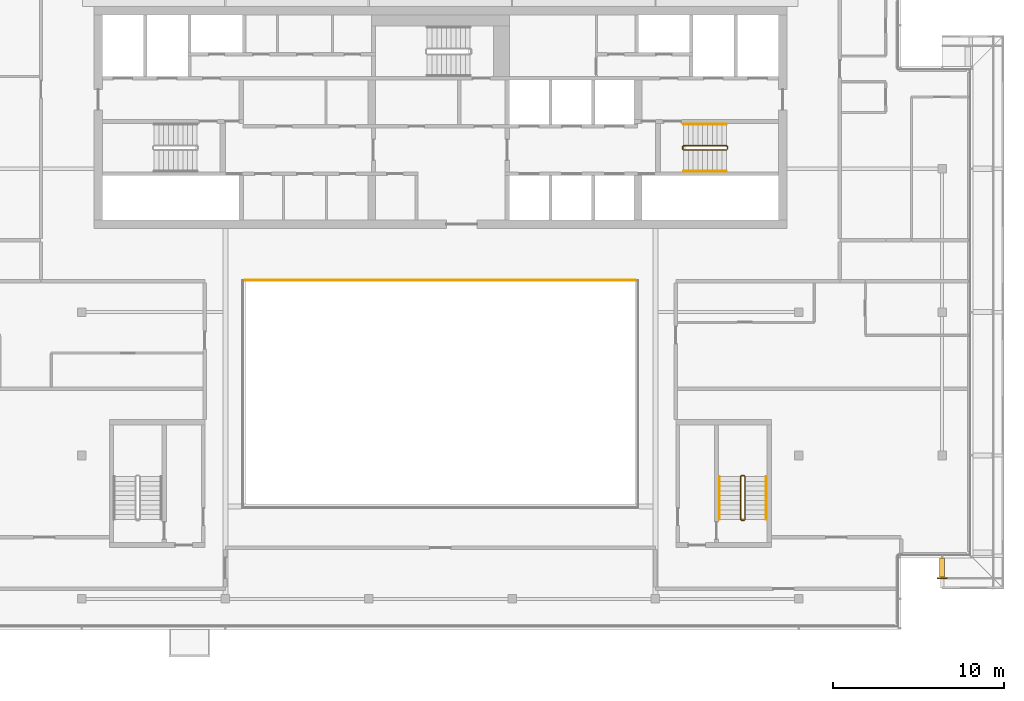
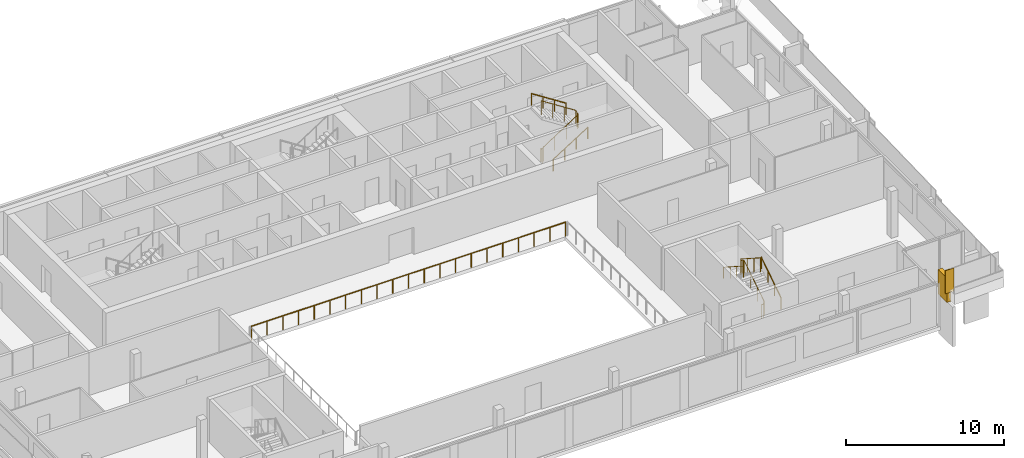
# One storey, part 17 of 19: 8 railings, 1 covering.
"""IFC4 building model written with IfcOpenShell, lengths in metres."""

from ifc_helpers import new_model, si_unit, direction, frame, origin, origin_2d, place, context, subcontext, project, spatial, rectangle, circle, extrude, material, layer, layer_set, type_object, element, save


model = new_model("IFC4")

# Units and contexts
model_context = context("Model", 3, precision=1e-05, world=origin(), true_north=direction((0.0, 1.0)))
body_context = subcontext(model_context, "Body", "Model", "MODEL_VIEW")
ifc_project = project(units=[si_unit("LENGTHUNIT", "METRE"), si_unit("AREAUNIT", "SQUARE_METRE"), si_unit("VOLUMEUNIT", "CUBIC_METRE"), si_unit("PLANEANGLEUNIT", "RADIAN"), si_unit("MASSUNIT", "GRAM", prefix="KILO")], contexts=[model_context])

# Site, building, storey
site_placement = place(None, origin())
site = spatial("IfcSite", under=ifc_project, at=site_placement, CompositionType="ELEMENT")
building_placement = place(site_placement, origin())
building = spatial("IfcBuilding", under=site, at=building_placement, Name="Saffron Gate Tower", CompositionType="ELEMENT")
storey_placement = place(building_placement, frame((0.0, 0.0, 292.35009765625)))
storey = spatial("IfcBuildingStorey", under=building, at=storey_placement, Name="L71", CompositionType="ELEMENT", Elevation=292.35009765625)

# Railings
ifc_material_1 = material(Name="Stainless steel and laminated glass", Category="steel")
railing_type_1 = type_object("IfcRailingType", Name="AG1 Atrium edge guard 1100", PredefinedType="GUARDRAIL", material=ifc_material_1)
railing_1_placement = place(storey_placement, frame((76.139892578125, 58.860107421875, 0.0)))
element("IfcRailing", 1, at=railing_1_placement, inside=storey, type_object=railing_type_1, Name="Guard E5-2", PredefinedType="GUARDRAIL", context=body_context, shape_type="SweptSolid", body=[
    extrude(circle(Radius=0.02392578125, at=origin_2d()), frame((0.0, 0.0, 1.076171875), z_axis=(1.0, 0.0, 0.0), x_axis=(0.0, 1.0, 0.0)), (0.0, 0.0, 1.0), 22.920166015625),
    extrude(circle(Radius=0.02099609375, at=origin_2d()), origin(), (0.0, 0.0, 1.0), 1.052001953125),
    extrude(circle(Radius=0.02099609375, at=origin_2d()), frame((1.14599609375, 0.0, 0.0)), (0.0, 0.0, 1.0), 1.052001953125),
    extrude(circle(Radius=0.02099609375, at=origin_2d()), frame((2.2919921875, 0.0, 0.0)), (0.0, 0.0, 1.0), 1.052001953125),
    extrude(circle(Radius=0.02099609375, at=origin_2d()), frame((3.43798828125, 0.0, 0.0)), (0.0, 0.0, 1.0), 1.052001953125),
    extrude(circle(Radius=0.02099609375, at=origin_2d()), frame((4.583984375, 0.0, 0.0)), (0.0, 0.0, 1.0), 1.052001953125),
    extrude(circle(Radius=0.02099609375, at=origin_2d()), frame((5.72998046875, 0.0, 0.0)), (0.0, 0.0, 1.0), 1.052001953125),
    extrude(circle(Radius=0.02099609375, at=origin_2d()), frame((6.8759765625, 0.0, 0.0)), (0.0, 0.0, 1.0), 1.052001953125),
    extrude(circle(Radius=0.02099609375, at=origin_2d()), frame((8.02197265625, 0.0, 0.0)), (0.0, 0.0, 1.0), 1.052001953125),
    extrude(circle(Radius=0.02099609375, at=origin_2d()), frame((9.16796875, 0.0, 0.0)), (0.0, 0.0, 1.0), 1.052001953125),
    extrude(circle(Radius=0.02099609375, at=origin_2d()), frame((10.31396484375, 0.0, 0.0)), (0.0, 0.0, 1.0), 1.052001953125),
    extrude(circle(Radius=0.02099609375, at=origin_2d()), frame((11.4599609375, 0.0, 0.0)), (0.0, 0.0, 1.0), 1.052001953125),
    extrude(circle(Radius=0.02099609375, at=origin_2d()), frame((12.606201171875, 0.0, 0.0)), (0.0, 0.0, 1.0), 1.052001953125),
    extrude(circle(Radius=0.02099609375, at=origin_2d()), frame((13.752197265625, 0.0, 0.0)), (0.0, 0.0, 1.0), 1.052001953125),
    extrude(circle(Radius=0.02099609375, at=origin_2d()), frame((14.898193359375, 0.0, 0.0)), (0.0, 0.0, 1.0), 1.052001953125),
    extrude(circle(Radius=0.02099609375, at=origin_2d()), frame((16.044189453125, 0.0, 0.0)), (0.0, 0.0, 1.0), 1.052001953125),
    extrude(circle(Radius=0.02099609375, at=origin_2d()), frame((17.190185546875, 0.0, 0.0)), (0.0, 0.0, 1.0), 1.052001953125),
    extrude(circle(Radius=0.02099609375, at=origin_2d()), frame((18.336181640625, 0.0, 0.0)), (0.0, 0.0, 1.0), 1.052001953125),
    extrude(circle(Radius=0.02099609375, at=origin_2d()), frame((19.482177734375, 0.0, 0.0)), (0.0, 0.0, 1.0), 1.052001953125),
    extrude(circle(Radius=0.02099609375, at=origin_2d()), frame((20.628173828125, 0.0, 0.0)), (0.0, 0.0, 1.0), 1.052001953125),
    extrude(circle(Radius=0.02099609375, at=origin_2d()), frame((21.774169921875, 0.0, 0.0)), (0.0, 0.0, 1.0), 1.052001953125),
    extrude(circle(Radius=0.02099609375, at=origin_2d()), frame((22.920166015625, 0.0, 0.0)), (0.0, 0.0, 1.0), 1.052001953125),
])
railing_type_2 = type_object("IfcRailingType", Name="CR1 Stair guard 1100", PredefinedType="GUARDRAIL", material=ifc_material_1)
railing_2_placement = place(storey_placement, frame((101.800048828125, 66.699951171875, 0.0)))
element("IfcRailing", 2, at=railing_2_placement, inside=storey, type_object=railing_type_2, Name="L71 ST-B stair guard 1", PredefinedType="GUARDRAIL", context=body_context, shape_type="SweptSolid", body=[
    extrude(circle(Radius=0.02392578125, at=origin_2d()), frame((0.0, 0.0, 1.076171875), z_axis=(0.0, -1.0, 0.0), x_axis=(1.0, 0.0, 0.0)), (0.0, 0.0, 1.0), 0.14990234375),
    extrude(circle(Radius=0.02392578125, at=origin_2d()), frame((0.0, -0.14990234375, 1.076171875), z_axis=(0.258847668887, -0.258847668887, 0.930588936439), x_axis=(0.707106781187, 0.707106781187, 0.0)), (0.0, 0.0, 1.0), 0.193359375),
    extrude(circle(Radius=0.02392578125, at=origin_2d()), frame((0.050048828125, -0.199951171875, 1.255859375), z_axis=(0.841199657755, 0.0, 0.540724639528), x_axis=(0.0, 1.0, 0.0)), (0.0, 0.0, 1.0), 2.995849609375),
    extrude(circle(Radius=0.02392578125, at=origin_2d()), frame((2.570068359375, -0.199951171875, 2.8759765625), z_axis=(0.705375805398, 0.708833529934, 0.0), x_axis=(-0.708833529934, 0.705375805398, 0.0)), (0.0, 0.0, 1.0), 0.070556640625),
    extrude(circle(Radius=0.02392578125, at=origin_2d()), frame((2.619873046875, -0.14990234375, 2.8759765625), z_axis=(0.0, 1.0, 0.0), x_axis=(-1.0, 0.0, 0.0)), (0.0, 0.0, 1.0), 0.14990234375),
    extrude(circle(Radius=0.02392578125, at=origin_2d()), frame((2.619873046875, 0.0, 2.8759765625), z_axis=(-0.257366384619, 0.258627984543, 0.931060744355), x_axis=(-0.708833529934, -0.705375805398, 0.0)), (0.0, 0.0, 1.0), 0.193603515625),
    extrude(circle(Radius=0.02392578125, at=origin_2d()), frame((2.570068359375, 0.050048828125, 3.05615234375), z_axis=(-0.841199657755, 0.0, 0.540724639528), x_axis=(0.0, -1.0, 0.0)), (0.0, 0.0, 1.0), 2.995849609375),
    extrude(circle(Radius=0.02099609375, at=origin_2d()), origin(), (0.0, 0.0, 1.0), 1.052001953125),
    extrude(circle(Radius=0.02099609375, at=origin_2d()), frame((0.0, -0.14990234375, 0.0)), (0.0, 0.0, 1.0), 1.052001953125),
    extrude(circle(Radius=0.02099609375, at=origin_2d()), frame((0.050048828125, -0.199951171875, 0.179931640625)), (0.0, 0.0, 1.0), 1.052001953125),
    extrude(circle(Radius=0.02099609375, at=origin_2d()), frame((0.89013671875, -0.199951171875, 0.719970703125)), (0.0, 0.0, 1.0), 1.052001953125),
    extrude(circle(Radius=0.02099609375, at=origin_2d()), frame((1.72998046875, -0.199951171875, 1.259765625)), (0.0, 0.0, 1.0), 1.052001953125),
    extrude(circle(Radius=0.02099609375, at=origin_2d()), frame((2.570068359375, -0.199951171875, 1.7998046875)), (0.0, 0.0, 1.0), 1.052001953125),
    extrude(circle(Radius=0.02099609375, at=origin_2d()), frame((2.619873046875, -0.14990234375, 1.7998046875)), (0.0, 0.0, 1.0), 1.052001953125),
    extrude(circle(Radius=0.02099609375, at=origin_2d()), frame((2.619873046875, 0.0, 1.7998046875)), (0.0, 0.0, 1.0), 1.052001953125),
    extrude(circle(Radius=0.02099609375, at=origin_2d()), frame((2.570068359375, 0.050048828125, 1.97998046875)), (0.0, 0.0, 1.0), 1.052001953125),
    extrude(circle(Radius=0.02099609375, at=origin_2d()), frame((1.72998046875, 0.050048828125, 2.52001953125)), (0.0, 0.0, 1.0), 1.052001953125),
    extrude(circle(Radius=0.02099609375, at=origin_2d()), frame((0.89013671875, 0.050048828125, 3.059814453125)), (0.0, 0.0, 1.0), 1.052001953125),
    extrude(circle(Radius=0.02099609375, at=origin_2d()), frame((0.050048828125, 0.050048828125, 3.599853515625)), (0.0, 0.0, 1.0), 1.052001953125),
])
railing_3_placement = place(storey_placement, frame((105.25, 44.800048828125, 0.0)))
element("IfcRailing", 3, at=railing_3_placement, inside=storey, type_object=railing_type_2, Name="L71 ST-E stair guard 1", PredefinedType="GUARDRAIL", context=body_context, shape_type="SweptSolid", body=[
    extrude(circle(Radius=0.02392578125, at=origin_2d()), frame((0.0, 0.0, 1.076171875), z_axis=(1.0, 0.0, 0.0), x_axis=(0.0, 1.0, 0.0)), (0.0, 0.0, 1.0), 0.14990234375),
    extrude(circle(Radius=0.02392578125, at=origin_2d()), frame((0.14990234375, 0.0, 1.076171875), z_axis=(0.258847668887, 0.258847668887, 0.930588936439), x_axis=(-0.707106781187, 0.707106781187, 0.0)), (0.0, 0.0, 1.0), 0.193359375),
    extrude(circle(Radius=0.02392578125, at=origin_2d()), frame((0.199951171875, 0.050048828125, 1.255859375), z_axis=(0.0, 0.841199657755, 0.540724639528), x_axis=(-1.0, 0.0, 0.0)), (0.0, 0.0, 1.0), 2.995849609375),
    extrude(circle(Radius=0.02392578125, at=origin_2d()), frame((0.199951171875, 2.570068359375, 2.8759765625), z_axis=(-0.708833529934, 0.705375805398, 0.0), x_axis=(-0.705375805398, -0.708833529934, 0.0)), (0.0, 0.0, 1.0), 0.070556640625),
    extrude(circle(Radius=0.02392578125, at=origin_2d()), frame((0.14990234375, 2.619873046875, 2.8759765625), z_axis=(-1.0, 0.0, 0.0), x_axis=(0.0, -1.0, 0.0)), (0.0, 0.0, 1.0), 0.14990234375),
    extrude(circle(Radius=0.02392578125, at=origin_2d()), frame((0.0, 2.619873046875, 2.8759765625), z_axis=(-0.258627984543, -0.257366384619, 0.931060744355), x_axis=(0.705375805398, -0.708833529934, 0.0)), (0.0, 0.0, 1.0), 0.193603515625),
    extrude(circle(Radius=0.02392578125, at=origin_2d()), frame((-0.050048828125, 2.570068359375, 3.05615234375), z_axis=(0.0, -0.841199657755, 0.540724639528), x_axis=(1.0, 0.0, 0.0)), (0.0, 0.0, 1.0), 2.995849609375),
    extrude(circle(Radius=0.02099609375, at=origin_2d()), origin(), (0.0, 0.0, 1.0), 1.052001953125),
    extrude(circle(Radius=0.02099609375, at=origin_2d()), frame((0.14990234375, 0.0, 0.0)), (0.0, 0.0, 1.0), 1.052001953125),
    extrude(circle(Radius=0.02099609375, at=origin_2d()), frame((0.199951171875, 0.050048828125, 0.179931640625)), (0.0, 0.0, 1.0), 1.052001953125),
    extrude(circle(Radius=0.02099609375, at=origin_2d()), frame((0.199951171875, 0.89013671875, 0.719970703125)), (0.0, 0.0, 1.0), 1.052001953125),
    extrude(circle(Radius=0.02099609375, at=origin_2d()), frame((0.199951171875, 1.72998046875, 1.259765625)), (0.0, 0.0, 1.0), 1.052001953125),
    extrude(circle(Radius=0.02099609375, at=origin_2d()), frame((0.199951171875, 2.570068359375, 1.7998046875)), (0.0, 0.0, 1.0), 1.052001953125),
    extrude(circle(Radius=0.02099609375, at=origin_2d()), frame((0.14990234375, 2.619873046875, 1.7998046875)), (0.0, 0.0, 1.0), 1.052001953125),
    extrude(circle(Radius=0.02099609375, at=origin_2d()), frame((0.0, 2.619873046875, 1.7998046875)), (0.0, 0.0, 1.0), 1.052001953125),
    extrude(circle(Radius=0.02099609375, at=origin_2d()), frame((-0.050048828125, 2.570068359375, 1.97998046875)), (0.0, 0.0, 1.0), 1.052001953125),
    extrude(circle(Radius=0.02099609375, at=origin_2d()), frame((-0.050048828125, 1.72998046875, 2.52001953125)), (0.0, 0.0, 1.0), 1.052001953125),
    extrude(circle(Radius=0.02099609375, at=origin_2d()), frame((-0.050048828125, 0.89013671875, 3.059814453125)), (0.0, 0.0, 1.0), 1.052001953125),
    extrude(circle(Radius=0.02099609375, at=origin_2d()), frame((-0.050048828125, 0.050048828125, 3.599853515625)), (0.0, 0.0, 1.0), 1.052001953125),
])
ifc_material_2 = material(Name="Stainless steel", Category="steel")
railing_type_3 = type_object("IfcRailingType", Name="CR2 Stair handrail 900", PredefinedType="HANDRAIL", material=ifc_material_2)
railing_4_placement = place(storey_placement, frame((101.85009765625, 65.25, 0.179931640625)))
element("IfcRailing", 4, at=railing_4_placement, inside=storey, type_object=railing_type_3, Name="L71 ST-B stair handrail 1", PredefinedType="HANDRAIL", context=body_context, shape_type="SweptSolid", body=[
    extrude(circle(Radius=0.02392578125, at=origin_2d()), frame((0.0, 0.0, 0.8759765625), z_axis=(0.841199657755, 0.0, 0.540724639528), x_axis=(0.0, 1.0, 0.0)), (0.0, 0.0, 1.0), 2.995849609375),
    extrude(circle(Radius=0.02099609375, at=origin_2d()), origin(), (0.0, 0.0, 1.0), 0.851806640625),
    extrude(circle(Radius=0.02099609375, at=origin_2d()), frame((0.840087890625, 0.0, 0.5400390625)), (0.0, 0.0, 1.0), 0.851806640625),
    extrude(circle(Radius=0.02099609375, at=origin_2d()), frame((1.679931640625, 0.0, 1.079833984375)), (0.0, 0.0, 1.0), 0.851806640625),
    extrude(circle(Radius=0.02099609375, at=origin_2d()), frame((2.52001953125, 0.0, 1.619873046875)), (0.0, 0.0, 1.0), 0.851806640625),
])
railing_5_placement = place(storey_placement, frame((104.3701171875, 68.0, 1.97998046875)))
element("IfcRailing", 5, at=railing_5_placement, inside=storey, type_object=railing_type_3, Name="L71 ST-B stair handrail 2", PredefinedType="HANDRAIL", context=body_context, shape_type="SweptSolid", body=[
    extrude(circle(Radius=0.02392578125, at=origin_2d()), frame((0.0, 0.0, 0.8759765625), z_axis=(-0.841199657755, 0.0, 0.540724639528), x_axis=(0.0, -1.0, 0.0)), (0.0, 0.0, 1.0), 2.995849609375),
    extrude(circle(Radius=0.02099609375, at=origin_2d()), origin(), (0.0, 0.0, 1.0), 0.851806640625),
    extrude(circle(Radius=0.02099609375, at=origin_2d()), frame((-0.840087890625, 0.0, 0.5400390625)), (0.0, 0.0, 1.0), 0.851806640625),
    extrude(circle(Radius=0.02099609375, at=origin_2d()), frame((-1.679931640625, 0.0, 1.079833984375)), (0.0, 0.0, 1.0), 0.851806640625),
    extrude(circle(Radius=0.02099609375, at=origin_2d()), frame((-2.52001953125, 0.0, 1.619873046875)), (0.0, 0.0, 1.0), 0.851806640625),
])
railing_6_placement = place(storey_placement, frame((106.699951171875, 44.85009765625, 0.179931640625)))
element("IfcRailing", 6, at=railing_6_placement, inside=storey, type_object=railing_type_3, Name="L71 ST-E stair handrail 1", PredefinedType="HANDRAIL", context=body_context, shape_type="SweptSolid", body=[
    extrude(circle(Radius=0.02392578125, at=origin_2d()), frame((0.0, 0.0, 0.8759765625), z_axis=(0.0, 0.841199657755, 0.540724639528), x_axis=(-1.0, 0.0, 0.0)), (0.0, 0.0, 1.0), 2.995849609375),
    extrude(circle(Radius=0.02099609375, at=origin_2d()), origin(), (0.0, 0.0, 1.0), 0.851806640625),
    extrude(circle(Radius=0.02099609375, at=origin_2d()), frame((0.0, 0.840087890625, 0.5400390625)), (0.0, 0.0, 1.0), 0.851806640625),
    extrude(circle(Radius=0.02099609375, at=origin_2d()), frame((0.0, 1.679931640625, 1.079833984375)), (0.0, 0.0, 1.0), 0.851806640625),
    extrude(circle(Radius=0.02099609375, at=origin_2d()), frame((0.0, 2.52001953125, 1.619873046875)), (0.0, 0.0, 1.0), 0.851806640625),
])
railing_7_placement = place(storey_placement, frame((103.949951171875, 47.3701171875, 1.97998046875)))
element("IfcRailing", 7, at=railing_7_placement, inside=storey, type_object=railing_type_3, Name="L71 ST-E stair handrail 2", PredefinedType="HANDRAIL", context=body_context, shape_type="SweptSolid", body=[
    extrude(circle(Radius=0.02392578125, at=origin_2d()), frame((0.0, 0.0, 0.8759765625), z_axis=(0.0, -0.841199657755, 0.540724639528), x_axis=(1.0, 0.0, 0.0)), (0.0, 0.0, 1.0), 2.995849609375),
    extrude(circle(Radius=0.02099609375, at=origin_2d()), origin(), (0.0, 0.0, 1.0), 0.851806640625),
    extrude(circle(Radius=0.02099609375, at=origin_2d()), frame((0.0, -0.840087890625, 0.5400390625)), (0.0, 0.0, 1.0), 0.851806640625),
    extrude(circle(Radius=0.02099609375, at=origin_2d()), frame((0.0, -1.679931640625, 1.079833984375)), (0.0, 0.0, 1.0), 0.851806640625),
    extrude(circle(Radius=0.02099609375, at=origin_2d()), frame((0.0, -2.52001953125, 1.619873046875)), (0.0, 0.0, 1.0), 0.851806640625),
])

# Covering
ifc_material_3 = material(Name="Timber, thermally modified ash", Category="wood")
ifc_layer = layer(ifc_material_3, 0.300048828125)
ifc_layer_set = layer_set([ifc_layer], Name="LD3 ledge riser fin")
covering_type = type_object("IfcCoveringType", Name="LD3 ledge riser fin", PredefinedType="CLADDING", material=ifc_layer_set)
covering_placement = place(storey_placement, frame((117.0, 42.0400390625, -0.81982421875), z_axis=(0.0, 0.0, 1.0), x_axis=(1.0, 0.0, 0.0)))
element("IfcCovering", 8, at=covering_placement, inside=storey, type_object=covering_type, Name="LEDGE riser fin", PredefinedType="CLADDING", context=body_context, shape_type="SweptSolid", body=[
    extrude(rectangle(XDim=0.300048828125, YDim=1.1201171875, at=origin_2d()), origin(), (0.0, 0.0, 1.0), 1.886962890625),
])

# Railing
railing_type_4 = type_object("IfcRailingType", Name="LG1 ledge balustrade", PredefinedType="BALUSTRADE", material=ifc_material_3)
railing_8_placement = place(storey_placement, frame((116.699951171875, 41.39990234375, -0.02001953125)))
element("IfcRailing", 9, at=railing_8_placement, inside=storey, type_object=railing_type_4, Name="LEDGE BALUSTRADE", PredefinedType="BALUSTRADE", context=body_context, shape_type="SweptSolid", body=[
    extrude(rectangle(XDim=0.06005859375, YDim=1.787109375, at=origin_2d()), frame((0.0, 0.0, 0.8935546875), z_axis=(1.0, 0.0, 0.0), x_axis=(0.0, 1.0, 0.0)), (0.0, 0.0, 1.0), 0.60009765625),
])

save(model, "model.ifc")
